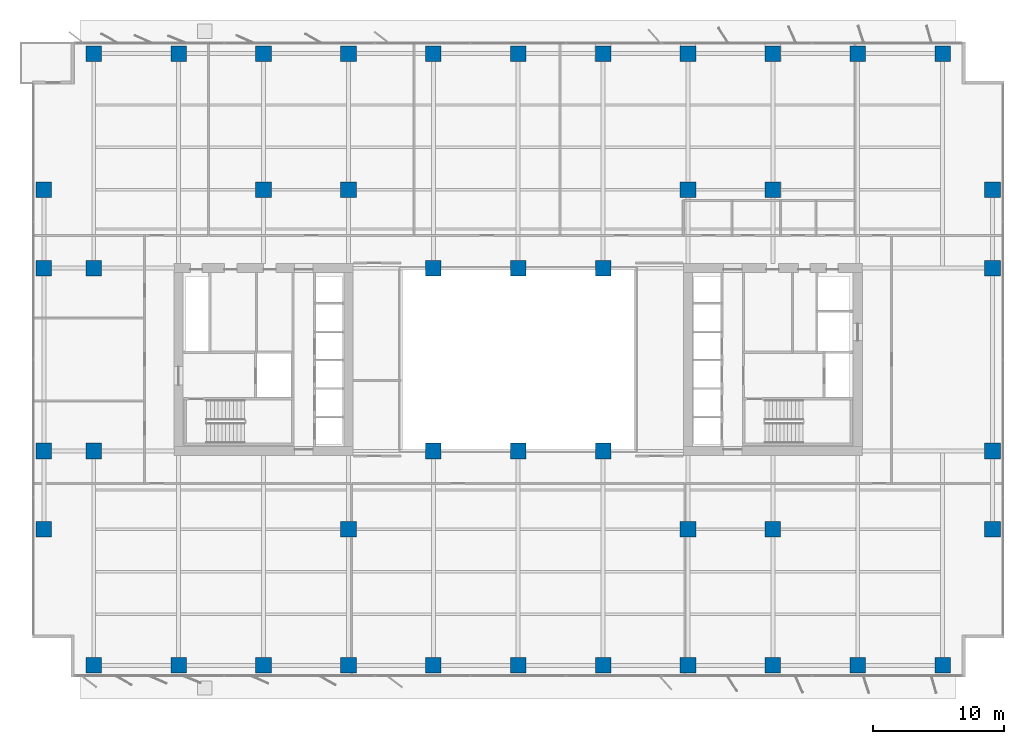
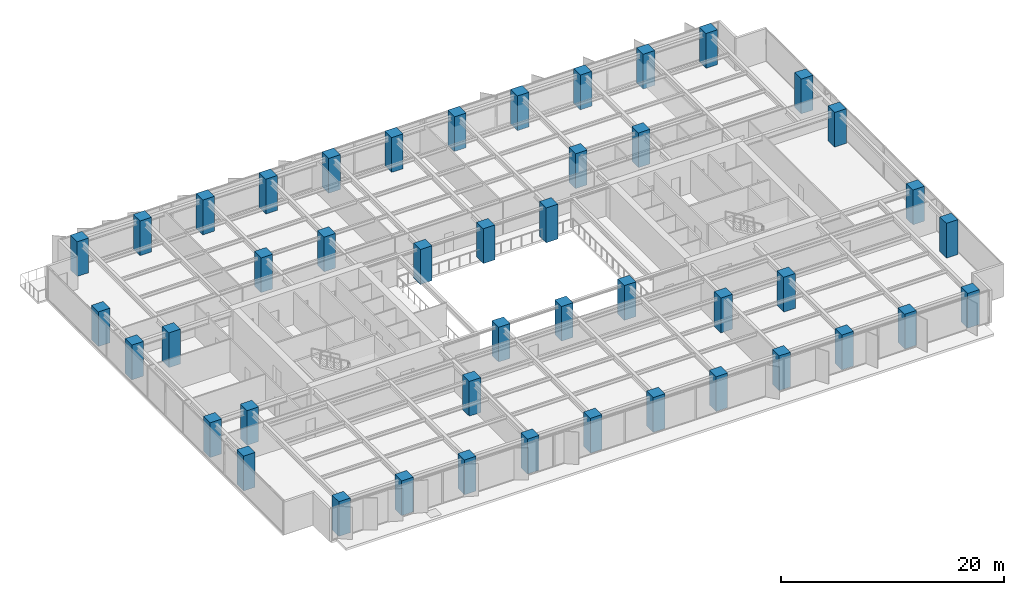
# One storey, part 1 of 19: 45 columns.
"""IFC4 building model written with IfcOpenShell, lengths in metres."""

import ifcopenshell
import ifcopenshell.guid

model = None  # the IFC model being written
_history = None  # IfcOwnerHistory: only IFC2X3 demands one
_inside = {}  # id of a spatial element -> (the spatial element, [elements in it])
_under = {}  # id of a project, library or spatial element -> (it, [spatial elements below it])
_declared = {}  # id of a project -> (the project, [libraries it declares])
_typed = {}  # id of a type object -> (the type object, [elements of that type])
_made_of = {}  # id of a material, layer set ... -> (it, [elements and type objects made of it])


def new_model(schema):
    """Start an empty IFC model of exactly this schema.

    Asked for "IFC4X3", IfcOpenShell would pick the latest addendum, in which some entities
    have other attributes; the version numbers below select the first issue.
    IFC2X3 requires an IfcOwnerHistory on every rooted entity: one is made here for all.
    """
    global model, _history
    if schema == "IFC4X3":
        model = ifcopenshell.file(schema_version=(4, 3, 0, 0))
    else:
        model = ifcopenshell.file(schema=schema)
    _inside.clear()
    _under.clear()
    _declared.clear()
    _typed.clear()
    _made_of.clear()
    _history = None
    if model.schema == "IFC2X3":
        org = make("IfcOrganization", Name="unknown")
        user = make(
            "IfcPersonAndOrganization",
            ThePerson=make("IfcPerson", FamilyName="unknown"),
            TheOrganization=org,
        )
        app = make(
            "IfcApplication",
            ApplicationDeveloper=org,
            Version="unknown",
            ApplicationFullName="unknown",
            ApplicationIdentifier="unknown",
        )
        _history = make(
            "IfcOwnerHistory",
            OwningUser=user,
            OwningApplication=app,
            ChangeAction="ADDED",
            CreationDate=0,
        )
    return model


def make(cls, **values):
    """One entity of the class cls with the attributes given. An attribute that is None is left unset."""
    return model.create_entity(
        cls, **{name: value for name, value in values.items() if value is not None}
    )


def rooted(cls, **values):
    """An entity with a GlobalId (a new one), such as an element, a storey or a relation."""
    return make(cls, GlobalId=ifcopenshell.guid.new(), OwnerHistory=_history, **values)


def si_unit(unit_type, name, prefix=None):
    """IfcSIUnit, for example si_unit("LENGTHUNIT", "METRE", prefix="MILLI")."""
    return make("IfcSIUnit", UnitType=unit_type, Prefix=prefix, Name=name)


def assignment(units):
    """IfcUnitAssignment: the units of a project."""
    return None if units is None else make("IfcUnitAssignment", Units=units)


def point(xyz):
    """IfcCartesianPoint."""
    return None if xyz is None else make("IfcCartesianPoint", Coordinates=xyz)


def direction(xyz):
    """IfcDirection."""
    return None if xyz is None else make("IfcDirection", DirectionRatios=xyz)


def frame(location, z_axis=None, x_axis=None):
    """IfcAxis2Placement3D, a coordinate frame: its origin and axes. An axis left out is left unset."""
    return make(
        "IfcAxis2Placement3D",
        Location=point(location),
        Axis=direction(z_axis),
        RefDirection=direction(x_axis),
    )


def frame_2d(location, x_axis=None):
    """IfcAxis2Placement2D, a coordinate frame in the plane: its origin and x axis."""
    return make(
        "IfcAxis2Placement2D", Location=point(location), RefDirection=direction(x_axis)
    )


def origin():
    """The frame at (0, 0, 0) with its axes left unset."""
    return frame((0.0, 0.0, 0.0))


def origin_2d():
    """The frame at (0, 0) in the plane with its x axis left unset."""
    return frame_2d((0.0, 0.0))


def place(relative_to, where):
    """IfcLocalPlacement: puts the frame where relative to a parent placement (None: the world)."""
    return make(
        "IfcLocalPlacement", PlacementRelTo=relative_to, RelativePlacement=where
    )


def context(
    kind, dimensions, precision=None, world=None, true_north=None, identifier=None
):
    """IfcGeometricRepresentationContext, for example the 3D "Model" context."""
    return make(
        "IfcGeometricRepresentationContext",
        ContextIdentifier=identifier,
        ContextType=kind,
        CoordinateSpaceDimension=dimensions,
        Precision=precision,
        WorldCoordinateSystem=world,
        TrueNorth=true_north,
    )


def subcontext(parent, identifier, kind, view, scale=None):
    """IfcGeometricRepresentationSubContext, for example "Body" below "Model"."""
    return make(
        "IfcGeometricRepresentationSubContext",
        ContextIdentifier=identifier,
        ContextType=kind,
        ParentContext=parent,
        TargetScale=scale,
        TargetView=view,
    )


def project(units=None, contexts=None):
    """IfcProject with its units and contexts."""
    return rooted(
        "IfcProject",
        Name="project",
        RepresentationContexts=contexts,
        UnitsInContext=assignment(units),
    )


def spatial(cls, under=None, at=None, **own):
    """A site, building, storey or space (cls), placed at a placement, below another one or the project."""
    s = rooted(cls, ObjectPlacement=at, **own)
    if under is not None:
        _under.setdefault(under.id(), (under, []))[1].append(s)
    return s


def profile(cls, at=None, kind="AREA", **sizes):
    """A parametric profile (cls). Its sizes go by their IFC names, for example OverallWidth=200.0."""
    return make(cls, ProfileType=kind, Position=at, **sizes)


def rectangle(**sizes):
    """IfcRectangleProfileDef."""
    return profile("IfcRectangleProfileDef", **sizes)


def extrude(swept, where, along, depth):
    """IfcExtrudedAreaSolid: the profile swept, set in the frame where, extruded along a direction by depth."""
    return make(
        "IfcExtrudedAreaSolid",
        SweptArea=swept,
        Position=where,
        ExtrudedDirection=direction(along),
        Depth=depth,
    )


def shape(context_of_items, identifier, shape_type, items):
    """IfcShapeRepresentation: the items that make up one representation, for example the "Body"."""
    return make(
        "IfcShapeRepresentation",
        ContextOfItems=context_of_items,
        RepresentationIdentifier=identifier,
        RepresentationType=shape_type,
        Items=items,
    )


def material(Name=None, Category=None):
    """IfcMaterial."""
    return make("IfcMaterial", Name=Name, Category=Category)


def material_profile(
    of_material, cross_section, Name=None, Category=None, Priority=None
):
    """IfcMaterialProfile: a cross section and its material."""
    return make(
        "IfcMaterialProfile",
        Name=Name,
        Material=of_material,
        Profile=cross_section,
        Priority=Priority,
        Category=Category,
    )


def profile_set(profiles, Name=None, composite=None):
    """IfcMaterialProfileSet."""
    return make(
        "IfcMaterialProfileSet",
        Name=Name,
        MaterialProfiles=profiles,
        CompositeProfile=composite,
    )


def made_of(thing, what):
    """Note that an element or type object is made of a material, layer set ...; save() writes the relation."""
    if what is not None:
        _made_of.setdefault(what.id(), (what, []))[1].append(thing)
    return thing


def type_object(cls, material=None, **own):
    """A type object (cls), such as IfcWallType, which elements share."""
    return made_of(rooted(cls, **own), material)


def element(
    cls,
    number,
    at=None,
    inside=None,
    cuts=None,
    type_object=None,
    material=None,
    context=None,
    identifier="Body",
    shape_type=None,
    held_by="IfcProductDefinitionShape",
    body=None,
    shapes=None,
    **own,
):
    """One element of the class cls, such as IfcWall. Its Tag is "e" and its number.

    at: its placement. inside: the storey or other place that contains it. cuts: it is an
    opening in that element (IfcRelVoidsElement). A single representation is given by context,
    identifier, shape_type and body (its items); several are given by shapes. held_by: the class
    of the entity that holds the representations. save() writes the other relations.
    """
    e = rooted(cls, Tag="e%d" % number, ObjectPlacement=at, **own)
    if body is not None:
        shapes = [shape(context, identifier, shape_type, body)]
    if shapes is not None:
        e.Representation = make(held_by, Representations=shapes)
    if inside is not None:
        _inside.setdefault(inside.id(), (inside, []))[1].append(e)
    if cuts is not None:
        rooted(
            "IfcRelVoidsElement", RelatingBuildingElement=cuts, RelatedOpeningElement=e
        )
    if type_object is not None:
        _typed.setdefault(type_object.id(), (type_object, []))[1].append(e)
    return made_of(e, material)


def aggregate(whole, parts):
    """IfcRelAggregates: a whole, such as a stair, and the parts it consists of."""
    return rooted("IfcRelAggregates", RelatingObject=whole, RelatedObjects=parts)


def save(model, path):
    """Write the relations noted so far, then the file.

    IfcRelAggregates (storeys below a building ...), IfcRelContainedInSpatialStructure (elements
    in a storey), IfcRelDefinesByType, IfcRelAssociatesMaterial and IfcRelDeclares: one each for
    every whole, place, type object, material and project.
    """
    for whole, parts in _under.values():
        aggregate(whole, parts)
    for where, things in _inside.values():
        rooted(
            "IfcRelContainedInSpatialStructure",
            RelatedElements=things,
            RelatingStructure=where,
        )
    for kind, things in _typed.values():
        rooted("IfcRelDefinesByType", RelatedObjects=things, RelatingType=kind)
    for what, things in _made_of.values():
        rooted("IfcRelAssociatesMaterial", RelatedObjects=things, RelatingMaterial=what)
    for by, libraries in _declared.values():
        rooted("IfcRelDeclares", RelatingContext=by, RelatedDefinitions=libraries)
    model.write(path)


model = new_model("IFC4")

# Units and contexts
model_context = context("Model", 3, precision=1e-05, world=origin(), true_north=direction((0.0, 1.0)))
body_context = subcontext(model_context, "Body", "Model", "MODEL_VIEW")
ifc_project = project(units=[si_unit("LENGTHUNIT", "METRE"), si_unit("AREAUNIT", "SQUARE_METRE"), si_unit("VOLUMEUNIT", "CUBIC_METRE"), si_unit("PLANEANGLEUNIT", "RADIAN"), si_unit("MASSUNIT", "GRAM", prefix="KILO")], contexts=[model_context])

# Site, building, storey
site_placement = place(None, origin())
site = spatial("IfcSite", under=ifc_project, at=site_placement, CompositionType="ELEMENT")
building_placement = place(site_placement, origin())
building = spatial("IfcBuilding", under=site, at=building_placement, Name="Putna Gate Headquarters", CompositionType="ELEMENT")
storey_placement = place(building_placement, frame((0.0, 0.0, 86.0)))
storey = spatial("IfcBuildingStorey", under=building, at=storey_placement, Name="L20", CompositionType="ELEMENT", Elevation=86.0)

# Columns
ifc_material = material(Name="Concrete C60/75", Category="concrete")
ifc_material_profile_1 = material_profile(ifc_material, rectangle(XDim=1.199951171875, YDim=1.199951171875, at=origin_2d()), Name="Concrete C60/75")
ifc_profile_set_1 = profile_set([ifc_material_profile_1], Name="Concrete C60/75")
column_type_1 = type_object("IfcColumnType", Name="COL-RC1200-EXT", PredefinedType="COLUMN", material=ifc_profile_set_1)
for number, where, z_axis, x_axis, name in (
    (1, (6.5, 2.580078125, 0.0), (0.0, 0.0, 1.0), (1.0, 0.0, 0.0), "L20 Column CP-S6"),
    (2, (6.5, 49.419921875, 0.0), (0.0, 0.0, 1.0), (1.0, 0.0, 0.0), "L20 Column CP-N6"),
    (3, (13.0, 2.580078125, 0.0), (0.0, 0.0, 1.0), (1.0, 0.0, 0.0), "L20 Column CP-S13"),
    (4, (13.0, 49.419921875, 0.0), (0.0, 0.0, 1.0), (1.0, 0.0, 0.0), "L20 Column CP-N13"),
    (5, (19.5, 2.580078125, 0.0), (0.0, 0.0, 1.0), (1.0, 0.0, 0.0), "L20 Column CP-S19"),
    (6, (19.5, 49.419921875, 0.0), (0.0, 0.0, 1.0), (1.0, 0.0, 0.0), "L20 Column CP-N19"),
    (7, (26.0, 2.580078125, 0.0), (0.0, 0.0, 1.0), (1.0, 0.0, 0.0), "L20 Column CP-S26"),
    (8, (26.0, 49.419921875, 0.0), (0.0, 0.0, 1.0), (1.0, 0.0, 0.0), "L20 Column CP-N26"),
    (9, (32.5, 2.580078125, 0.0), (0.0, 0.0, 1.0), (1.0, 0.0, 0.0), "L20 Column CP-S32"),
    (10, (32.5, 49.419921875, 0.0), (0.0, 0.0, 1.0), (1.0, 0.0, 0.0), "L20 Column CP-N32"),
    (11, (39.0, 2.580078125, 0.0), (0.0, 0.0, 1.0), (1.0, 0.0, 0.0), "L20 Column CP-S39"),
    (12, (39.0, 49.419921875, 0.0), (0.0, 0.0, 1.0), (1.0, 0.0, 0.0), "L20 Column CP-N39"),
    (13, (45.5, 2.580078125, 0.0), (0.0, 0.0, 1.0), (1.0, 0.0, 0.0), "L20 Column CP-S45"),
    (14, (45.5, 49.419921875, 0.0), (0.0, 0.0, 1.0), (1.0, 0.0, 0.0), "L20 Column CP-N45"),
    (15, (52.0, 2.580078125, 0.0), (0.0, 0.0, 1.0), (1.0, 0.0, 0.0), "L20 Column CP-S52"),
    (16, (52.0, 49.419921875, 0.0), (0.0, 0.0, 1.0), (1.0, 0.0, 0.0), "L20 Column CP-N52"),
    (17, (58.5, 2.580078125, 0.0), (0.0, 0.0, 1.0), (1.0, 0.0, 0.0), "L20 Column CP-S58"),
    (18, (58.5, 49.419921875, 0.0), (0.0, 0.0, 1.0), (1.0, 0.0, 0.0), "L20 Column CP-N58"),
    (19, (65.0, 2.580078125, 0.0), (0.0, 0.0, 1.0), (1.0, 0.0, 0.0), "L20 Column CP-S65"),
    (20, (65.0, 49.419921875, 0.0), (0.0, 0.0, 1.0), (1.0, 0.0, 0.0), "L20 Column CP-N65"),
    (21, (71.5, 2.580078125, 0.0), (0.0, 0.0, 1.0), (1.0, 0.0, 0.0), "L20 Column CP-S71"),
    (22, (71.5, 49.419921875, 0.0), (0.0, 0.0, 1.0), (1.0, 0.0, 0.0), "L20 Column CP-N71"),
    (23, (2.679931640625, 13.0, 0.0), (0.0, 0.0, 1.0), (1.0, 0.0, 0.0), "L20 Column CP-W13"),
    (24, (75.320068359375, 13.0, 0.0), (0.0, 0.0, 1.0), (1.0, 0.0, 0.0), "L20 Column CP-E13"),
    (25, (2.679931640625, 19.0, 0.0), (0.0, 0.0, 1.0), (1.0, 0.0, 0.0), "L20 Column CP-W19"),
    (26, (75.320068359375, 19.0, 0.0), (0.0, 0.0, 1.0), (1.0, 0.0, 0.0), "L20 Column CP-E19"),
    (27, (2.679931640625, 33.0, 0.0), (0.0, 0.0, 1.0), (1.0, 0.0, 0.0), "L20 Column CP-W33"),
    (28, (75.320068359375, 33.0, 0.0), (0.0, 0.0, 1.0), (1.0, 0.0, 0.0), "L20 Column CP-E33"),
    (29, (2.679931640625, 39.0, 0.0), (0.0, 0.0, 1.0), (1.0, 0.0, 0.0), "L20 Column CP-W39"),
    (30, (75.320068359375, 39.0, 0.0), (0.0, 0.0, 1.0), (1.0, 0.0, 0.0), "L20 Column CP-E39"),
):
    element("IfcColumn", number, at=place(storey_placement, frame(where, z_axis=z_axis, x_axis=x_axis)), inside=storey, type_object=column_type_1, Name=name, PredefinedType="COLUMN", context=body_context, shape_type="SweptSolid", body=[
        extrude(rectangle(XDim=1.199951171875, YDim=1.199951171875, at=origin_2d()), origin(), (0.0, 0.0, 1.0), 3.800048828125),
    ])
ifc_material_profile_2 = material_profile(ifc_material, rectangle(XDim=1.199951171875, YDim=1.199951171875, at=origin_2d()), Name="Concrete C60/75")
ifc_profile_set_2 = profile_set([ifc_material_profile_2], Name="Concrete C60/75")
column_type_2 = type_object("IfcColumnType", Name="COL-RC1200-INT", PredefinedType="COLUMN", material=ifc_profile_set_2)
for number, where, z_axis, x_axis, name in (
    (31, (19.5, 39.0, 0.0), (0.0, 0.0, 1.0), (1.0, 0.0, 0.0), "L20 Column CSI-WN"),
    (32, (58.5, 13.0, 0.0), (0.0, 0.0, 1.0), (1.0, 0.0, 0.0), "L20 Column CSI-ES"),
    (33, (58.5, 39.0, 0.0), (0.0, 0.0, 1.0), (1.0, 0.0, 0.0), "L20 Column CSI-EN"),
    (34, (6.5, 19.0, 0.0), (0.0, 0.0, 1.0), (1.0, 0.0, 0.0), "L20 Column CSI-WM"),
    (35, (6.5, 33.0, 0.0), (0.0, 0.0, 1.0), (1.0, 0.0, 0.0), "L20 Column CSI-WNW"),
    (36, (32.5, 19.0, 0.0), (0.0, 0.0, 1.0), (1.0, 0.0, 0.0), "L20 Column CAI-S32"),
    (37, (32.5, 33.0, 0.0), (0.0, 0.0, 1.0), (1.0, 0.0, 0.0), "L20 Column CAI-N32"),
    (38, (39.0, 19.0, 0.0), (0.0, 0.0, 1.0), (1.0, 0.0, 0.0), "L20 Column CAI-S39"),
    (39, (39.0, 33.0, 0.0), (0.0, 0.0, 1.0), (1.0, 0.0, 0.0), "L20 Column CAI-N39"),
    (40, (45.5, 19.0, 0.0), (0.0, 0.0, 1.0), (1.0, 0.0, 0.0), "L20 Column CAI-S45"),
    (41, (45.5, 33.0, 0.0), (0.0, 0.0, 1.0), (1.0, 0.0, 0.0), "L20 Column CAI-N45"),
    (42, (26.0, 13.0, 0.0), (0.0, 0.0, 1.0), (1.0, 0.0, 0.0), "L20 Column CAP-WS"),
    (43, (26.0, 39.0, 0.0), (0.0, 0.0, 1.0), (1.0, 0.0, 0.0), "L20 Column CAP-WN"),
    (44, (52.0, 13.0, 0.0), (0.0, 0.0, 1.0), (1.0, 0.0, 0.0), "L20 Column CAP-ES"),
    (45, (52.0, 39.0, 0.0), (0.0, 0.0, 1.0), (1.0, 0.0, 0.0), "L20 Column CAP-EN"),
):
    element("IfcColumn", number, at=place(storey_placement, frame(where, z_axis=z_axis, x_axis=x_axis)), inside=storey, type_object=column_type_2, Name=name, PredefinedType="COLUMN", context=body_context, shape_type="SweptSolid", body=[
        extrude(rectangle(XDim=1.199951171875, YDim=1.199951171875, at=origin_2d()), origin(), (0.0, 0.0, 1.0), 3.800048828125),
    ])

save(model, "model.ifc")
